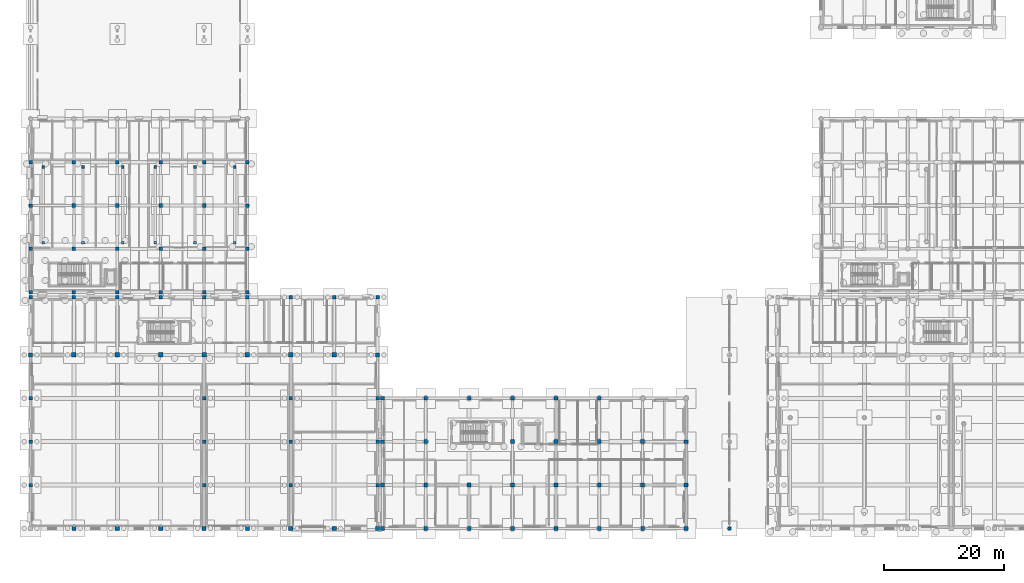
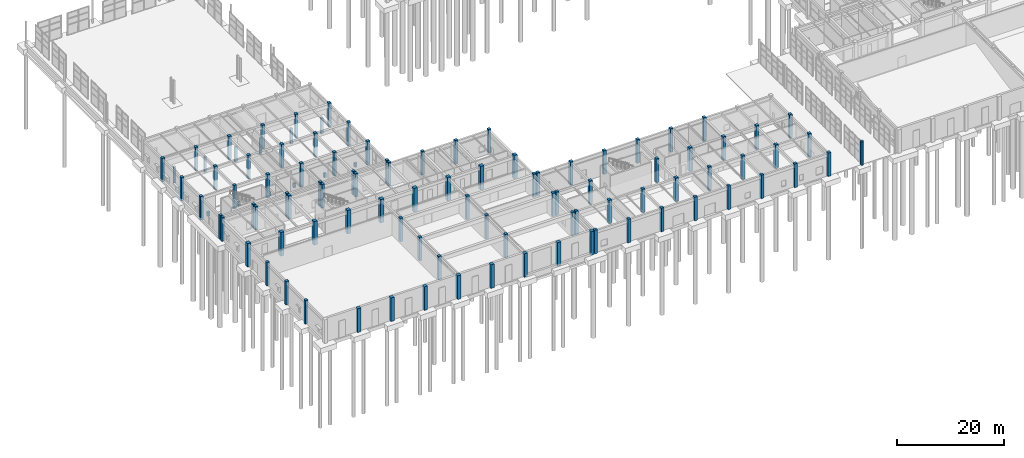
# One storey, part 8 of 91: 104 columns.
"""IFC4 building model written with IfcOpenShell, lengths in metres."""

from ifc_helpers import new_model, si_unit, direction, frame, origin, origin_2d, place, context, subcontext, project, spatial, rectangle, circle, extrude, material, material_profile, profile_set, type_object, element, save


model = new_model("IFC4")

# Units and contexts
model_context = context("Model", 3, precision=1e-05, world=origin(), true_north=direction((0.0, 1.0)))
body_context = subcontext(model_context, "Body", "Model", "MODEL_VIEW")
ifc_project = project(units=[si_unit("LENGTHUNIT", "METRE"), si_unit("AREAUNIT", "SQUARE_METRE"), si_unit("VOLUMEUNIT", "CUBIC_METRE"), si_unit("PLANEANGLEUNIT", "RADIAN"), si_unit("MASSUNIT", "GRAM", prefix="KILO")], contexts=[model_context])

# Site, building, storey
site_placement = place(None, origin())
site = spatial("IfcSite", under=ifc_project, at=site_placement, CompositionType="ELEMENT")
building_placement = place(site_placement, origin())
building = spatial("IfcBuilding", under=site, at=building_placement, Name="Bramveld Media Centre", CompositionType="ELEMENT")
storey_placement = place(building_placement, origin())
storey = spatial("IfcBuildingStorey", under=building, at=storey_placement, Name="L00", CompositionType="ELEMENT", Elevation=0.0)

# Columns
ifc_material_1 = material(Name="Concrete C40/50", Category="concrete")
ifc_material_profile_1 = material_profile(ifc_material_1, rectangle(XDim=0.580078125, YDim=0.580078125, at=origin_2d()), Name="RC 580x580")
ifc_profile_set_1 = profile_set([ifc_material_profile_1], Name="Concrete C40/50")
column_type_1 = type_object("IfcColumnType", Name="COL-EXT-RC-580x580", PredefinedType="COLUMN", material=ifc_profile_set_1)
for number, where, z_axis, x_axis, name in (
    (1, (0.0, 7.199951171875, 0.0), (0.0, 0.0, 1.0), (1.0, 0.0, 0.0), "V2 L00 column RC 580x580"),
    (2, (0.0, 14.39990234375, 0.0), (0.0, 0.0, 1.0), (1.0, 0.0, 0.0), "V2 L00 column RC 580x580"),
    (3, (0.0, 21.60009765625, 0.0), (0.0, 0.0, 1.0), (1.0, 0.0, 0.0), "V2 L00 column RC 580x580"),
    (4, (0.0, 38.39990234375, 0.0), (0.0, 0.0, 1.0), (1.0, 0.0, 0.0), "V2 L00 column RC 580x580"),
    (5, (7.199951171875, 38.39990234375, 0.0), (0.0, 0.0, 1.0), (1.0, 0.0, 0.0), "V2 L00 column RC 580x580"),
    (6, (14.39990234375, 38.39990234375, 0.0), (0.0, 0.0, 1.0), (1.0, 0.0, 0.0), "V2 L00 column RC 580x580"),
    (7, (21.60009765625, 38.39990234375, 0.0), (0.0, 0.0, 1.0), (1.0, 0.0, 0.0), "V2 L00 column RC 580x580"),
    (8, (28.800048828125, 38.39990234375, 0.0), (0.0, 0.0, 1.0), (1.0, 0.0, 0.0), "V2 L00 column RC 580x580"),
    (9, (36.0, 38.39990234375, 0.0), (0.0, 0.0, 1.0), (1.0, 0.0, 0.0), "V2 L00 column RC 580x580"),
    (10, (43.199951171875, 38.39990234375, 0.0), (0.0, 0.0, 1.0), (1.0, 0.0, 0.0), "V2 L00 column RC 580x580"),
    (11, (50.39990234375, 38.39990234375, 0.0), (0.0, 0.0, 1.0), (1.0, 0.0, 0.0), "V2 L00 column RC 580x580"),
    (12, (57.60009765625, 7.199951171875, 0.0), (0.0, 0.0, 1.0), (1.0, 0.0, 0.0), "V2 L00 column RC 580x580"),
    (13, (57.60009765625, 14.39990234375, 0.0), (0.0, 0.0, 1.0), (1.0, 0.0, 0.0), "V2 L00 column RC 580x580"),
    (14, (57.60009765625, 21.60009765625, 0.0), (0.0, 0.0, 1.0), (1.0, 0.0, 0.0), "V2 L00 column RC 580x580"),
    (15, (57.60009765625, 38.39990234375, 0.0), (0.0, 0.0, 1.0), (1.0, 0.0, 0.0), "V2 L00 column RC 580x580"),
    (16, (0.0, 39.199951171875, 0.0), (0.0, 0.0, 1.0), (1.0, 0.0, 0.0), "V3 L00 column RC 580x580"),
    (17, (0.0, 46.39990234375, 0.0), (0.0, 0.0, 1.0), (1.0, 0.0, 0.0), "V3 L00 column RC 580x580"),
    (18, (0.0, 53.60009765625, 0.0), (0.0, 0.0, 1.0), (1.0, 0.0, 0.0), "V3 L00 column RC 580x580"),
    (19, (0.0, 60.800048828125, 0.0), (0.0, 0.0, 1.0), (1.0, 0.0, 0.0), "V3 L00 column RC 580x580"),
    (20, (7.199951171875, 39.199951171875, 0.0), (0.0, 0.0, 1.0), (1.0, 0.0, 0.0), "V3 L00 column RC 580x580"),
    (21, (14.39990234375, 39.199951171875, 0.0), (0.0, 0.0, 1.0), (1.0, 0.0, 0.0), "V3 L00 column RC 580x580"),
    (22, (21.60009765625, 39.199951171875, 0.0), (0.0, 0.0, 1.0), (1.0, 0.0, 0.0), "V3 L00 column RC 580x580"),
    (23, (28.800048828125, 39.199951171875, 0.0), (0.0, 0.0, 1.0), (1.0, 0.0, 0.0), "V3 L00 column RC 580x580"),
    (24, (36.0, 39.199951171875, 0.0), (0.0, 0.0, 1.0), (1.0, 0.0, 0.0), "V3 L00 column RC 580x580"),
    (25, (36.0, 46.39990234375, 0.0), (0.0, 0.0, 1.0), (1.0, 0.0, 0.0), "V3 L00 column RC 580x580"),
    (26, (36.0, 53.60009765625, 0.0), (0.0, 0.0, 1.0), (1.0, 0.0, 0.0), "V3 L00 column RC 580x580"),
    (27, (36.0, 60.800048828125, 0.0), (0.0, 0.0, 1.0), (1.0, 0.0, 0.0), "V3 L00 column RC 580x580"),
):
    element("IfcColumn", number, at=place(storey_placement, frame(where, z_axis=z_axis, x_axis=x_axis)), inside=storey, type_object=column_type_1, Name=name, PredefinedType="COLUMN", context=body_context, shape_type="SweptSolid", body=[
        extrude(rectangle(XDim=0.580078125, YDim=0.580078125, at=origin_2d()), origin(), (0.0, 0.0, 1.0), 5.39990234375),
    ])
ifc_material_2 = material(Name="Concrete C40/50", Category="concrete")
ifc_material_profile_2 = material_profile(ifc_material_2, rectangle(XDim=0.6201171875, YDim=0.6201171875, at=origin_2d()), Name="RC 620x620")
ifc_profile_set_2 = profile_set([ifc_material_profile_2], Name="Concrete C40/50")
column_type_2 = type_object("IfcColumnType", Name="COL-EXT-RC-620x620", PredefinedType="COLUMN", material=ifc_profile_set_2)
for number, where, z_axis, x_axis, name in (
    (28, (58.39990234375, 0.0, 0.0), (0.0, 0.0, 1.0), (1.0, 0.0, 0.0), "V5 L00 column RC 620x620"),
    (29, (58.39990234375, 7.199951171875, 0.0), (0.0, 0.0, 1.0), (1.0, 0.0, 0.0), "V5 L00 column RC 620x620"),
    (30, (58.39990234375, 14.39990234375, 0.0), (0.0, 0.0, 1.0), (1.0, 0.0, 0.0), "V5 L00 column RC 620x620"),
    (31, (58.39990234375, 21.60009765625, 0.0), (0.0, 0.0, 1.0), (1.0, 0.0, 0.0), "V5 L00 column RC 620x620"),
    (32, (65.60009765625, 0.0, 0.0), (0.0, 0.0, 1.0), (1.0, 0.0, 0.0), "V5 L00 column RC 620x620"),
    (33, (65.60009765625, 21.60009765625, 0.0), (0.0, 0.0, 1.0), (1.0, 0.0, 0.0), "V5 L00 column RC 620x620"),
    (34, (72.800048828125, 0.0, 0.0), (0.0, 0.0, 1.0), (1.0, 0.0, 0.0), "V5 L00 column RC 620x620"),
    (35, (72.800048828125, 21.60009765625, 0.0), (0.0, 0.0, 1.0), (1.0, 0.0, 0.0), "V5 L00 column RC 620x620"),
    (36, (80.0, 0.0, 0.0), (0.0, 0.0, 1.0), (1.0, 0.0, 0.0), "V5 L00 column RC 620x620"),
    (37, (80.0, 21.60009765625, 0.0), (0.0, 0.0, 1.0), (1.0, 0.0, 0.0), "V5 L00 column RC 620x620"),
    (38, (87.199951171875, 0.0, 0.0), (0.0, 0.0, 1.0), (1.0, 0.0, 0.0), "V5 L00 column RC 620x620"),
    (39, (87.199951171875, 21.60009765625, 0.0), (0.0, 0.0, 1.0), (1.0, 0.0, 0.0), "V5 L00 column RC 620x620"),
    (40, (94.39990234375, 0.0, 0.0), (0.0, 0.0, 1.0), (1.0, 0.0, 0.0), "V5 L00 column RC 620x620"),
    (41, (94.39990234375, 21.60009765625, 0.0), (0.0, 0.0, 1.0), (1.0, 0.0, 0.0), "V5 L00 column RC 620x620"),
    (42, (101.60009765625, 0.0, 0.0), (0.0, 0.0, 1.0), (1.0, 0.0, 0.0), "V5 L00 column RC 620x620"),
    (43, (108.800048828125, 0.0, 0.0), (0.0, 0.0, 1.0), (1.0, 0.0, 0.0), "V5 L00 column RC 620x620"),
    (44, (108.800048828125, 7.199951171875, 0.0), (0.0, 0.0, 1.0), (1.0, 0.0, 0.0), "V5 L00 column RC 620x620"),
    (45, (108.800048828125, 14.39990234375, 0.0), (0.0, 0.0, 1.0), (1.0, 0.0, 0.0), "V5 L00 column RC 620x620"),
):
    element("IfcColumn", number, at=place(storey_placement, frame(where, z_axis=z_axis, x_axis=x_axis)), inside=storey, type_object=column_type_2, Name=name, PredefinedType="COLUMN", context=body_context, shape_type="SweptSolid", body=[
        extrude(rectangle(XDim=0.6201171875, YDim=0.6201171875, at=origin_2d()), origin(), (0.0, 0.0, 1.0), 5.39990234375),
    ])
ifc_material_3 = material(Name="Concrete C40/50", Category="concrete")
ifc_material_profile_3 = material_profile(ifc_material_3, rectangle(XDim=0.719970703125, YDim=0.719970703125, at=origin_2d()), Name="RC 720x720")
ifc_profile_set_3 = profile_set([ifc_material_profile_3], Name="Concrete C40/50")
column_type_3 = type_object("IfcColumnType", Name="COL-EXT-RC-720x720", PredefinedType="COLUMN", material=ifc_profile_set_3)
for number, where, z_axis, x_axis, name in (
    (46, (0.0, 28.800048828125, 0.0), (0.0, 0.0, 1.0), (1.0, 0.0, 0.0), "V2 L00 column RC 720x720"),
    (47, (7.199951171875, 0.0, 0.0), (0.0, 0.0, 1.0), (1.0, 0.0, 0.0), "V2 L00 column RC 720x720"),
    (48, (14.39990234375, 0.0, 0.0), (0.0, 0.0, 1.0), (1.0, 0.0, 0.0), "V2 L00 column RC 720x720"),
    (49, (21.60009765625, 0.0, 0.0), (0.0, 0.0, 1.0), (1.0, 0.0, 0.0), "V2 L00 column RC 720x720"),
    (50, (28.800048828125, 0.0, 0.0), (0.0, 0.0, 1.0), (1.0, 0.0, 0.0), "V2 L00 column RC 720x720"),
    (51, (36.0, 0.0, 0.0), (0.0, 0.0, 1.0), (1.0, 0.0, 0.0), "V2 L00 column RC 720x720"),
    (52, (43.199951171875, 0.0, 0.0), (0.0, 0.0, 1.0), (1.0, 0.0, 0.0), "V2 L00 column RC 720x720"),
    (53, (50.39990234375, 0.0, 0.0), (0.0, 0.0, 1.0), (1.0, 0.0, 0.0), "V2 L00 column RC 720x720"),
    (54, (57.60009765625, 0.0, 0.0), (0.0, 0.0, 1.0), (1.0, 0.0, 0.0), "V2 L00 column RC 720x720"),
    (55, (57.60009765625, 28.800048828125, 0.0), (0.0, 0.0, 1.0), (1.0, 0.0, 0.0), "V2 L00 column RC 720x720"),
):
    element("IfcColumn", number, at=place(storey_placement, frame(where, z_axis=z_axis, x_axis=x_axis)), inside=storey, type_object=column_type_3, Name=name, PredefinedType="COLUMN", context=body_context, shape_type="SweptSolid", body=[
        extrude(rectangle(XDim=0.719970703125, YDim=0.719970703125, at=origin_2d()), origin(), (0.0, 0.0, 1.0), 5.39990234375),
    ])
ifc_material_4 = material(Name="Concrete C40/50", Category="concrete")
ifc_material_profile_4 = material_profile(ifc_material_4, rectangle(XDim=0.449951171875, YDim=0.449951171875, at=origin_2d()), Name="RC 450x450")
ifc_profile_set_4 = profile_set([ifc_material_profile_4], Name="Concrete C40/50")
column_type_4 = type_object("IfcColumnType", Name="COL-INT-RC-450x450", PredefinedType="COLUMN", material=ifc_profile_set_4)
column_1_placement = place(storey_placement, frame((2.10009765625, 47.39990234375, -0.550048828125), z_axis=(0.0, 0.0, 1.0), x_axis=(1.0, 0.0, 0.0)))
element("IfcColumn", 56, at=column_1_placement, inside=storey, type_object=column_type_4, Name="Cinema 3 Raked Seating Slab lower raker pedestal 1", PredefinedType="COLUMN", context=body_context, shape_type="SweptSolid", body=[
    extrude(rectangle(XDim=0.449951171875, YDim=0.449951171875, at=origin_2d()), origin(), (0.0, 0.0, 1.0), 0.955078125),
])
column_2_placement = place(storey_placement, frame((2.10009765625, 60.0, -0.550048828125), z_axis=(0.0, 0.0, 1.0), x_axis=(1.0, 0.0, 0.0)))
element("IfcColumn", 57, at=column_2_placement, inside=storey, type_object=column_type_4, Name="Cinema 3 Raked Seating Slab upper raker column 1", PredefinedType="COLUMN", context=body_context, shape_type="SweptSolid", body=[
    extrude(rectangle(XDim=0.449951171875, YDim=0.449951171875, at=origin_2d()), origin(), (0.0, 0.0, 1.0), 3.625),
])
column_3_placement = place(storey_placement, frame((8.699951171875, 47.39990234375, -0.550048828125), z_axis=(0.0, 0.0, 1.0), x_axis=(1.0, 0.0, 0.0)))
element("IfcColumn", 58, at=column_3_placement, inside=storey, type_object=column_type_4, Name="Cinema 3 Raked Seating Slab lower raker pedestal 2", PredefinedType="COLUMN", context=body_context, shape_type="SweptSolid", body=[
    extrude(rectangle(XDim=0.449951171875, YDim=0.449951171875, at=origin_2d()), origin(), (0.0, 0.0, 1.0), 0.955078125),
])
column_4_placement = place(storey_placement, frame((8.699951171875, 60.0, -0.550048828125), z_axis=(0.0, 0.0, 1.0), x_axis=(1.0, 0.0, 0.0)))
element("IfcColumn", 59, at=column_4_placement, inside=storey, type_object=column_type_4, Name="Cinema 3 Raked Seating Slab upper raker column 2", PredefinedType="COLUMN", context=body_context, shape_type="SweptSolid", body=[
    extrude(rectangle(XDim=0.449951171875, YDim=0.449951171875, at=origin_2d()), origin(), (0.0, 0.0, 1.0), 3.625),
])
column_5_placement = place(storey_placement, frame((15.300048828125, 47.39990234375, -0.550048828125), z_axis=(0.0, 0.0, 1.0), x_axis=(1.0, 0.0, 0.0)))
element("IfcColumn", 60, at=column_5_placement, inside=storey, type_object=column_type_4, Name="Cinema 3 Raked Seating Slab lower raker pedestal 3", PredefinedType="COLUMN", context=body_context, shape_type="SweptSolid", body=[
    extrude(rectangle(XDim=0.449951171875, YDim=0.449951171875, at=origin_2d()), origin(), (0.0, 0.0, 1.0), 0.955078125),
])
column_6_placement = place(storey_placement, frame((15.300048828125, 60.0, -0.550048828125), z_axis=(0.0, 0.0, 1.0), x_axis=(1.0, 0.0, 0.0)))
element("IfcColumn", 61, at=column_6_placement, inside=storey, type_object=column_type_4, Name="Cinema 3 Raked Seating Slab upper raker column 3", PredefinedType="COLUMN", context=body_context, shape_type="SweptSolid", body=[
    extrude(rectangle(XDim=0.449951171875, YDim=0.449951171875, at=origin_2d()), origin(), (0.0, 0.0, 1.0), 3.625),
])
column_7_placement = place(storey_placement, frame((20.699951171875, 47.39990234375, -0.550048828125), z_axis=(0.0, 0.0, 1.0), x_axis=(1.0, 0.0, 0.0)))
element("IfcColumn", 62, at=column_7_placement, inside=storey, type_object=column_type_4, Name="Cinema 4 Raked Seating Slab lower raker pedestal 1", PredefinedType="COLUMN", context=body_context, shape_type="SweptSolid", body=[
    extrude(rectangle(XDim=0.449951171875, YDim=0.449951171875, at=origin_2d()), origin(), (0.0, 0.0, 1.0), 0.97509765625),
])
column_8_placement = place(storey_placement, frame((20.699951171875, 60.0, -0.550048828125), z_axis=(0.0, 0.0, 1.0), x_axis=(1.0, 0.0, 0.0)))
element("IfcColumn", 63, at=column_8_placement, inside=storey, type_object=column_type_4, Name="Cinema 4 Raked Seating Slab upper raker column 1", PredefinedType="COLUMN", context=body_context, shape_type="SweptSolid", body=[
    extrude(rectangle(XDim=0.449951171875, YDim=0.449951171875, at=origin_2d()), origin(), (0.0, 0.0, 1.0), 3.64501953125),
])
column_9_placement = place(storey_placement, frame((27.300048828125, 47.39990234375, -0.550048828125), z_axis=(0.0, 0.0, 1.0), x_axis=(1.0, 0.0, 0.0)))
element("IfcColumn", 64, at=column_9_placement, inside=storey, type_object=column_type_4, Name="Cinema 4 Raked Seating Slab lower raker pedestal 2", PredefinedType="COLUMN", context=body_context, shape_type="SweptSolid", body=[
    extrude(rectangle(XDim=0.449951171875, YDim=0.449951171875, at=origin_2d()), origin(), (0.0, 0.0, 1.0), 0.97509765625),
])
column_10_placement = place(storey_placement, frame((27.300048828125, 60.0, -0.550048828125), z_axis=(0.0, 0.0, 1.0), x_axis=(1.0, 0.0, 0.0)))
element("IfcColumn", 65, at=column_10_placement, inside=storey, type_object=column_type_4, Name="Cinema 4 Raked Seating Slab upper raker column 2", PredefinedType="COLUMN", context=body_context, shape_type="SweptSolid", body=[
    extrude(rectangle(XDim=0.449951171875, YDim=0.449951171875, at=origin_2d()), origin(), (0.0, 0.0, 1.0), 3.64501953125),
])
column_11_placement = place(storey_placement, frame((33.89990234375, 47.39990234375, -0.550048828125), z_axis=(0.0, 0.0, 1.0), x_axis=(1.0, 0.0, 0.0)))
element("IfcColumn", 66, at=column_11_placement, inside=storey, type_object=column_type_4, Name="Cinema 4 Raked Seating Slab lower raker pedestal 3", PredefinedType="COLUMN", context=body_context, shape_type="SweptSolid", body=[
    extrude(rectangle(XDim=0.449951171875, YDim=0.449951171875, at=origin_2d()), origin(), (0.0, 0.0, 1.0), 0.97509765625),
])
column_12_placement = place(storey_placement, frame((33.89990234375, 60.0, -0.550048828125), z_axis=(0.0, 0.0, 1.0), x_axis=(1.0, 0.0, 0.0)))
element("IfcColumn", 67, at=column_12_placement, inside=storey, type_object=column_type_4, Name="Cinema 4 Raked Seating Slab upper raker column 3", PredefinedType="COLUMN", context=body_context, shape_type="SweptSolid", body=[
    extrude(rectangle(XDim=0.449951171875, YDim=0.449951171875, at=origin_2d()), origin(), (0.0, 0.0, 1.0), 3.64501953125),
])
ifc_material_5 = material(Name="Concrete C40/50", Category="concrete")
ifc_material_profile_5 = material_profile(ifc_material_5, rectangle(XDim=0.60009765625, YDim=0.60009765625, at=origin_2d()), Name="RC 600x600")
ifc_profile_set_5 = profile_set([ifc_material_profile_5], Name="Concrete C40/50")
column_type_5 = type_object("IfcColumnType", Name="COL-INT-RC-600x600", PredefinedType="COLUMN", material=ifc_profile_set_5)
for number, where, z_axis, x_axis, name in (
    (68, (28.800048828125, 7.199951171875, 0.0), (0.0, 0.0, 1.0), (1.0, 0.0, 0.0), "V2 L00 column RC 600x600"),
    (69, (28.800048828125, 14.39990234375, 0.0), (0.0, 0.0, 1.0), (1.0, 0.0, 0.0), "V2 L00 column RC 600x600"),
    (70, (28.800048828125, 21.60009765625, 0.0), (0.0, 0.0, 1.0), (1.0, 0.0, 0.0), "V2 L00 column RC 600x600"),
    (71, (43.199951171875, 7.199951171875, 0.0), (0.0, 0.0, 1.0), (1.0, 0.0, 0.0), "V2 L00 column RC 600x600"),
    (72, (43.199951171875, 14.39990234375, 0.0), (0.0, 0.0, 1.0), (1.0, 0.0, 0.0), "V2 L00 column RC 600x600"),
    (73, (43.199951171875, 21.60009765625, 0.0), (0.0, 0.0, 1.0), (1.0, 0.0, 0.0), "V2 L00 column RC 600x600"),
    (74, (7.199951171875, 46.39990234375, 0.0), (0.0, 0.0, 1.0), (1.0, 0.0, 0.0), "V3 L00 column RC 600x600"),
    (75, (7.199951171875, 53.60009765625, 0.0), (0.0, 0.0, 1.0), (1.0, 0.0, 0.0), "V3 L00 column RC 600x600"),
    (76, (7.199951171875, 60.800048828125, 0.0), (0.0, 0.0, 1.0), (1.0, 0.0, 0.0), "V3 L00 column RC 600x600"),
    (77, (14.39990234375, 46.39990234375, 0.0), (0.0, 0.0, 1.0), (1.0, 0.0, 0.0), "V3 L00 column RC 600x600"),
    (78, (14.39990234375, 53.60009765625, 0.0), (0.0, 0.0, 1.0), (1.0, 0.0, 0.0), "V3 L00 column RC 600x600"),
    (79, (14.39990234375, 60.800048828125, 0.0), (0.0, 0.0, 1.0), (1.0, 0.0, 0.0), "V3 L00 column RC 600x600"),
    (80, (21.60009765625, 46.39990234375, 0.0), (0.0, 0.0, 1.0), (1.0, 0.0, 0.0), "V3 L00 column RC 600x600"),
    (81, (21.60009765625, 53.60009765625, 0.0), (0.0, 0.0, 1.0), (1.0, 0.0, 0.0), "V3 L00 column RC 600x600"),
    (82, (21.60009765625, 60.800048828125, 0.0), (0.0, 0.0, 1.0), (1.0, 0.0, 0.0), "V3 L00 column RC 600x600"),
    (83, (28.800048828125, 46.39990234375, 0.0), (0.0, 0.0, 1.0), (1.0, 0.0, 0.0), "V3 L00 column RC 600x600"),
    (84, (28.800048828125, 53.60009765625, 0.0), (0.0, 0.0, 1.0), (1.0, 0.0, 0.0), "V3 L00 column RC 600x600"),
    (85, (28.800048828125, 60.800048828125, 0.0), (0.0, 0.0, 1.0), (1.0, 0.0, 0.0), "V3 L00 column RC 600x600"),
):
    element("IfcColumn", number, at=place(storey_placement, frame(where, z_axis=z_axis, x_axis=x_axis)), inside=storey, type_object=column_type_5, Name=name, PredefinedType="COLUMN", context=body_context, shape_type="SweptSolid", body=[
        extrude(rectangle(XDim=0.60009765625, YDim=0.60009765625, at=origin_2d()), origin(), (0.0, 0.0, 1.0), 5.39990234375),
    ])
ifc_material_6 = material(Name="Concrete C40/50", Category="concrete")
ifc_material_profile_6 = material_profile(ifc_material_6, rectangle(XDim=0.64990234375, YDim=0.64990234375, at=origin_2d()), Name="RC 650x650")
ifc_profile_set_6 = profile_set([ifc_material_profile_6], Name="Concrete C40/50")
column_type_6 = type_object("IfcColumnType", Name="COL-INT-RC-650x650", PredefinedType="COLUMN", material=ifc_profile_set_6)
for number, where, z_axis, x_axis, name in (
    (86, (65.60009765625, 7.199951171875, 0.0), (0.0, 0.0, 1.0), (1.0, 0.0, 0.0), "V5 L00 column RC 650x650"),
    (87, (65.60009765625, 14.39990234375, 0.0), (0.0, 0.0, 1.0), (1.0, 0.0, 0.0), "V5 L00 column RC 650x650"),
    (88, (72.800048828125, 7.199951171875, 0.0), (0.0, 0.0, 1.0), (1.0, 0.0, 0.0), "V5 L00 column RC 650x650"),
    (89, (80.0, 7.199951171875, 0.0), (0.0, 0.0, 1.0), (1.0, 0.0, 0.0), "V5 L00 column RC 650x650"),
    (90, (80.0, 14.39990234375, 0.0), (0.0, 0.0, 1.0), (1.0, 0.0, 0.0), "V5 L00 column RC 650x650"),
    (91, (87.199951171875, 7.199951171875, 0.0), (0.0, 0.0, 1.0), (1.0, 0.0, 0.0), "V5 L00 column RC 650x650"),
    (92, (87.199951171875, 14.39990234375, 0.0), (0.0, 0.0, 1.0), (1.0, 0.0, 0.0), "V5 L00 column RC 650x650"),
    (93, (94.39990234375, 7.199951171875, 0.0), (0.0, 0.0, 1.0), (1.0, 0.0, 0.0), "V5 L00 column RC 650x650"),
    (94, (94.39990234375, 14.39990234375, 0.0), (0.0, 0.0, 1.0), (1.0, 0.0, 0.0), "V5 L00 column RC 650x650"),
    (95, (101.60009765625, 7.199951171875, 0.0), (0.0, 0.0, 1.0), (1.0, 0.0, 0.0), "V5 L00 column RC 650x650"),
    (96, (101.60009765625, 14.39990234375, 0.0), (0.0, 0.0, 1.0), (1.0, 0.0, 0.0), "V5 L00 column RC 650x650"),
):
    element("IfcColumn", number, at=place(storey_placement, frame(where, z_axis=z_axis, x_axis=x_axis)), inside=storey, type_object=column_type_6, Name=name, PredefinedType="COLUMN", context=body_context, shape_type="SweptSolid", body=[
        extrude(rectangle(XDim=0.64990234375, YDim=0.64990234375, at=origin_2d()), origin(), (0.0, 0.0, 1.0), 5.39990234375),
    ])
ifc_material_7 = material(Name="Concrete C40/50", Category="concrete")
ifc_material_profile_7 = material_profile(ifc_material_7, rectangle(XDim=0.75, YDim=0.75, at=origin_2d()), Name="RC 750x750")
ifc_profile_set_7 = profile_set([ifc_material_profile_7], Name="Concrete C40/50")
column_type_7 = type_object("IfcColumnType", Name="COL-INT-RC-750x750", PredefinedType="COLUMN", material=ifc_profile_set_7)
for number, where, z_axis, x_axis, name in (
    (97, (7.199951171875, 28.800048828125, 0.0), (0.0, 0.0, 1.0), (1.0, 0.0, 0.0), "V2 L00 column RC 750x750"),
    (98, (14.39990234375, 28.800048828125, 0.0), (0.0, 0.0, 1.0), (1.0, 0.0, 0.0), "V2 L00 column RC 750x750"),
    (99, (21.60009765625, 28.800048828125, 0.0), (0.0, 0.0, 1.0), (1.0, 0.0, 0.0), "V2 L00 column RC 750x750"),
    (100, (28.800048828125, 28.800048828125, 0.0), (0.0, 0.0, 1.0), (1.0, 0.0, 0.0), "V2 L00 column RC 750x750"),
    (101, (36.0, 28.800048828125, 0.0), (0.0, 0.0, 1.0), (1.0, 0.0, 0.0), "V2 L00 column RC 750x750"),
    (102, (43.199951171875, 28.800048828125, 0.0), (0.0, 0.0, 1.0), (1.0, 0.0, 0.0), "V2 L00 column RC 750x750"),
    (103, (50.39990234375, 28.800048828125, 0.0), (0.0, 0.0, 1.0), (1.0, 0.0, 0.0), "V2 L00 column RC 750x750"),
):
    element("IfcColumn", number, at=place(storey_placement, frame(where, z_axis=z_axis, x_axis=x_axis)), inside=storey, type_object=column_type_7, Name=name, PredefinedType="COLUMN", context=body_context, shape_type="SweptSolid", body=[
        extrude(rectangle(XDim=0.75, YDim=0.75, at=origin_2d()), origin(), (0.0, 0.0, 1.0), 5.39990234375),
    ])
ifc_material_8 = material(Name="Concrete C40/50", Category="concrete")
ifc_material_profile_8 = material_profile(ifc_material_8, circle(Radius=0.300048828125, at=origin_2d()), Name="RC D600")
ifc_profile_set_8 = profile_set([ifc_material_profile_8], Name="Concrete C40/50")
column_type_8 = type_object("IfcColumnType", Name="COL-INT-RC-D600", PredefinedType="COLUMN", material=ifc_profile_set_8)
column_13_placement = place(storey_placement, frame((116.0, 0.0, 0.0), z_axis=(0.0, 0.0, 1.0), x_axis=(1.0, 0.0, 0.0)))
element("IfcColumn", 104, at=column_13_placement, inside=storey, type_object=column_type_8, Name="Portal colonnade column 1", PredefinedType="COLUMN", context=body_context, shape_type="SweptSolid", body=[
    extrude(circle(Radius=0.300048828125, at=origin_2d()), origin(), (0.0, 0.0, 1.0), 5.39990234375),
])

save(model, "model.ifc")
